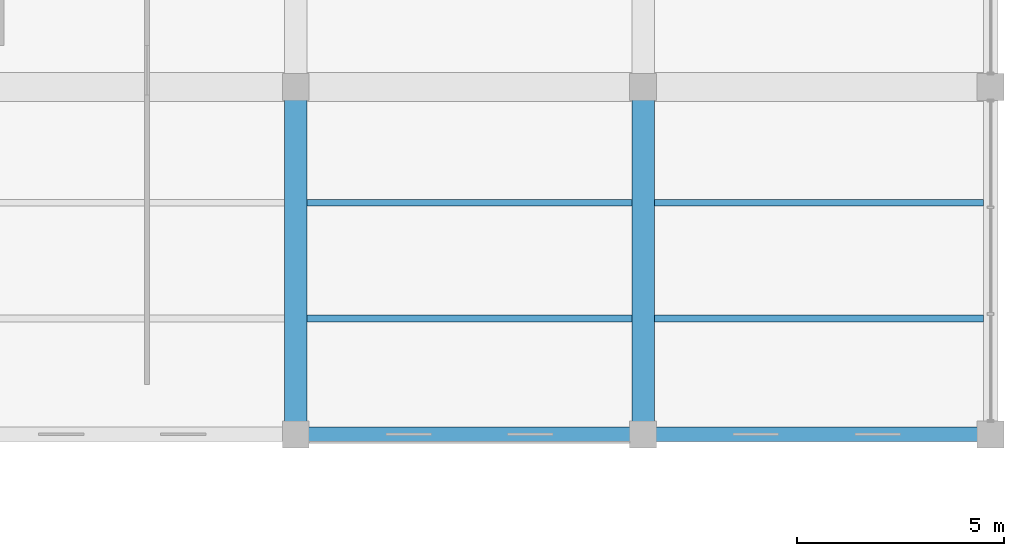
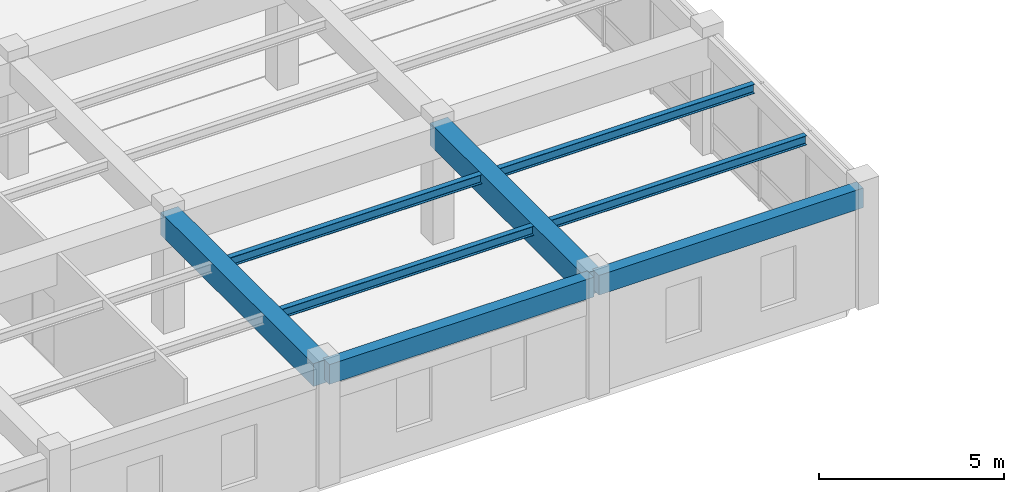
# One storey, part 84 of 138: 8 beams.
"""IFC4 building model written with IfcOpenShell, lengths in metres."""

from ifc_helpers import new_model, si_unit, direction, frame, origin, origin_2d, place, context, subcontext, project, spatial, rectangle, i_section, extrude, material, material_profile, profile_set, type_object, element, save


model = new_model("IFC4")

# Units and contexts
model_context = context("Model", 3, precision=1e-05, world=origin(), true_north=direction((0.0, 1.0)))
body_context = subcontext(model_context, "Body", "Model", "MODEL_VIEW")
ifc_project = project(units=[si_unit("LENGTHUNIT", "METRE"), si_unit("AREAUNIT", "SQUARE_METRE"), si_unit("VOLUMEUNIT", "CUBIC_METRE"), si_unit("PLANEANGLEUNIT", "RADIAN"), si_unit("MASSUNIT", "GRAM", prefix="KILO"), si_unit("THERMODYNAMICTEMPERATUREUNIT", "KELVIN"), si_unit("POWERUNIT", "WATT")], contexts=[model_context])

# Site, building, storey
site_placement = place(None, origin())
site = spatial("IfcSite", under=ifc_project, at=site_placement, CompositionType="ELEMENT")
building_placement = place(site_placement, origin())
building = spatial("IfcBuilding", under=site, at=building_placement, Name="Darbajah Civic Hall", CompositionType="ELEMENT")
storey_placement = place(building_placement, frame((0.0, 0.0, 9.60009765625)))
storey = spatial("IfcBuildingStorey", under=building, at=storey_placement, Name="L02", CompositionType="ELEMENT", Elevation=9.60009765625)

# Beams
ifc_material_1 = material(Name="Concrete C45/55", Category="concrete")
ifc_material_profile_1 = material_profile(ifc_material_1, rectangle(XDim=0.550048828125, YDim=0.75, at=origin_2d()), Name="RC BEAM 550x750")
ifc_profile_set_1 = profile_set([ifc_material_profile_1], Name="Concrete C45/55")
beam_type_1 = type_object("IfcBeamType", Name="RC BEAM 550x750", PredefinedType="BEAM", material=ifc_profile_set_1)
for number, where, z_axis, x_axis, name in (
    (1, (161.39990234375, 56.47998046875, 3.48486328125), (0.0, 1.0, 0.0), (-1.0, 0.0, 0.0), "L02 beam BM-5575"),
    (2, (169.800048828125, 56.47998046875, 3.48486328125), (0.0, 1.0, 0.0), (-1.0, 0.0, 0.0), "L02 beam BM-5575"),
):
    element("IfcBeam", number, at=place(storey_placement, frame(where, z_axis=z_axis, x_axis=x_axis)), inside=storey, type_object=beam_type_1, Name=name, PredefinedType="BEAM", context=body_context, shape_type="SweptSolid", body=[
        extrude(rectangle(XDim=0.550048828125, YDim=0.75, at=origin_2d()), origin(), (0.0, 0.0, 1.0), 8.239990234375),
    ])
ifc_material_profile_2 = material_profile(ifc_material_1, rectangle(XDim=0.35009765625, YDim=0.64990234375, at=origin_2d()), Name="RC SPANDREL 350x650")
ifc_profile_set_2 = profile_set([ifc_material_profile_2], Name="Concrete C45/55")
beam_type_2 = type_object("IfcBeamType", Name="RC SPANDREL 350x650", PredefinedType="SPANDREL", material=ifc_profile_set_2)
beam_1_placement = place(storey_placement, frame((161.47998046875, 56.39990234375, 3.534912109375), z_axis=(1.0, 0.0, 0.0), x_axis=(0.0, 1.0, 0.0)))
element("IfcBeam", 3, at=beam_1_placement, inside=storey, type_object=beam_type_2, Name="L02 beam SP-3565", PredefinedType="SPANDREL", context=body_context, shape_type="SweptSolid", body=[
    extrude(rectangle(XDim=0.35009765625, YDim=0.64990234375, at=origin_2d()), origin(), (0.0, 0.0, 1.0), 8.239990234375),
])
beam_2_placement = place(storey_placement, frame((169.8798828125, 56.39990234375, 3.534912109375), z_axis=(1.0, 0.0, 0.0), x_axis=(0.0, 1.0, 0.0)))
element("IfcBeam", 4, at=beam_2_placement, inside=storey, type_object=beam_type_2, Name="L02 beam SP-3565", PredefinedType="SPANDREL", context=body_context, shape_type="SweptSolid", body=[
    extrude(rectangle(XDim=0.35009765625, YDim=0.64990234375, at=origin_2d()), origin(), (0.0, 0.0, 1.0), 8.240234375),
])
ifc_material_2 = material(Name="Steel S355JR", Category="steel")
ifc_material_profile_3 = material_profile(ifc_material_2, i_section(OverallWidth=0.165771484375, OverallDepth=0.306640625, WebThickness=0.006591796875, FlangeThickness=0.01171875, FilletRadius=0.0087890625, at=origin_2d()), Name="UB 305x165x46")
ifc_profile_set_3 = profile_set([ifc_material_profile_3], Name="Steel S355JR")
beam_type_3 = type_object("IfcBeamType", Name="UB 305x165x46", PredefinedType="JOIST", material=ifc_profile_set_3)
for number, where, z_axis, x_axis, name in (
    (5, (161.675048828125, 59.199951171875, 3.70654296875), (1.0, 0.0, 0.0), (0.0, 1.0, 0.0), "L02 beam SJ-305"),
    (6, (161.675048828125, 62.0, 3.70654296875), (1.0, 0.0, 0.0), (0.0, 1.0, 0.0), "L02 beam SJ-305"),
):
    element("IfcBeam", number, at=place(storey_placement, frame(where, z_axis=z_axis, x_axis=x_axis)), inside=storey, type_object=beam_type_3, Name=name, PredefinedType="JOIST", context=body_context, shape_type="SweptSolid", body=[
        extrude(i_section(OverallWidth=0.165771484375, OverallDepth=0.306640625, WebThickness=0.006591796875, FlangeThickness=0.01171875, FilletRadius=0.0087890625, at=origin_2d()), origin(), (0.0, 0.0, 1.0), 7.849853515625),
    ])
for number, where, z_axis, x_axis, name in (
    (7, (170.074951171875, 59.199951171875, 3.70654296875), (1.0, 0.0, 0.0), (0.0, 1.0, 0.0), "L02 beam SJ-305"),
    (8, (170.074951171875, 62.0, 3.70654296875), (1.0, 0.0, 0.0), (0.0, 1.0, 0.0), "L02 beam SJ-305"),
):
    element("IfcBeam", number, at=place(storey_placement, frame(where, z_axis=z_axis, x_axis=x_axis)), inside=storey, type_object=beam_type_3, Name=name, PredefinedType="JOIST", context=body_context, shape_type="SweptSolid", body=[
        extrude(i_section(OverallWidth=0.165771484375, OverallDepth=0.306640625, WebThickness=0.006591796875, FlangeThickness=0.01171875, FilletRadius=0.0087890625, at=origin_2d()), origin(), (0.0, 0.0, 1.0), 7.949951171875),
    ])

save(model, "model.ifc")
